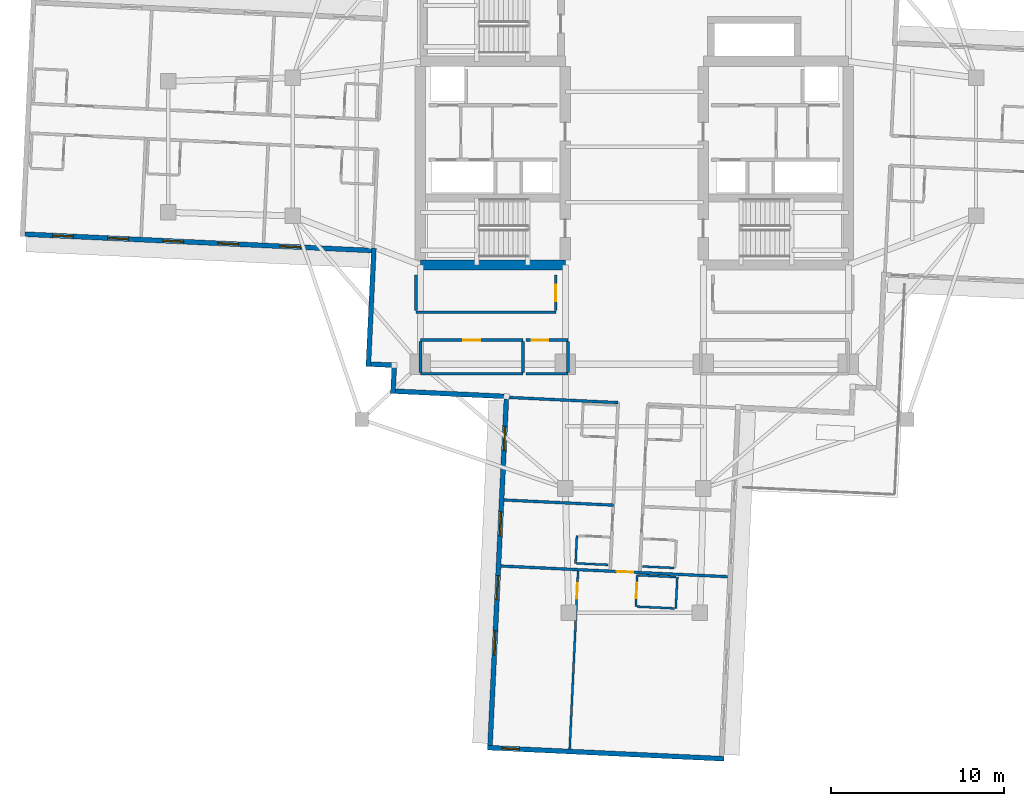
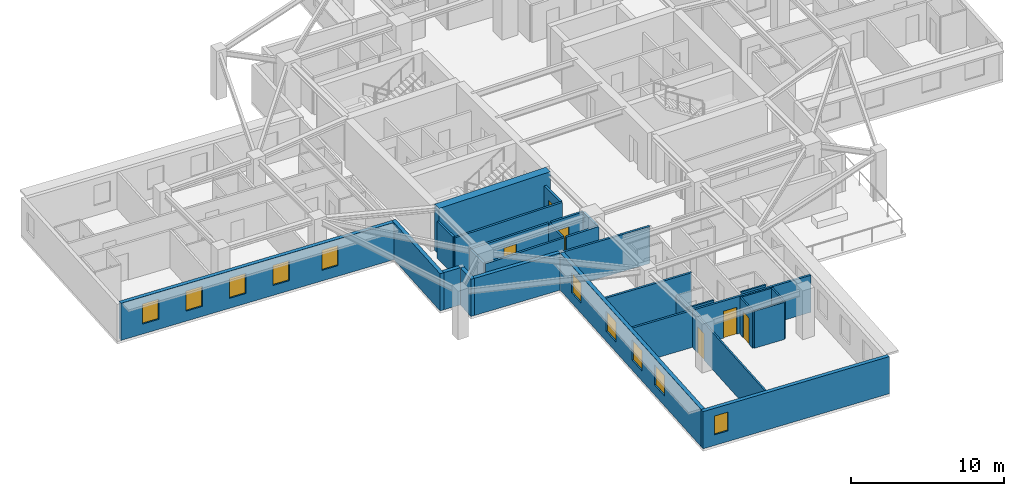
# One storey, part 3 of 14: 29 walls, 10 windows, 6 doors, 16 openings.
"""IFC4 building model written with IfcOpenShell, lengths in metres."""

from ifc_helpers import new_model, si_unit, direction, frame, frame_2d, origin, place, context, subcontext, project, spatial, rectangle, extrude, material, layer, layer_set, type_object, element, fill, save


model = new_model("IFC4")

# Units and contexts
model_context = context("Model", 3, precision=1e-05, world=origin(), true_north=direction((0.0, 1.0)))
body_context = subcontext(model_context, "Body", "Model", "MODEL_VIEW")
ifc_project = project(units=[si_unit("LENGTHUNIT", "METRE"), si_unit("AREAUNIT", "SQUARE_METRE"), si_unit("VOLUMEUNIT", "CUBIC_METRE"), si_unit("PLANEANGLEUNIT", "RADIAN"), si_unit("MASSUNIT", "GRAM", prefix="KILO")], contexts=[model_context])

# Site, building, storey
site_placement = place(None, origin())
site = spatial("IfcSite", under=ifc_project, at=site_placement, CompositionType="ELEMENT")
building_placement = place(site_placement, origin())
building = spatial("IfcBuilding", under=site, at=building_placement, Name="Qingluan Cross Belvedere", CompositionType="ELEMENT")
storey_placement = place(building_placement, frame((0.0, 0.0, 172.199951171875)))
storey = spatial("IfcBuildingStorey", under=building, at=storey_placement, Name="L43", CompositionType="ELEMENT", Elevation=172.199951171875)

# Walls
ifc_material_1 = material(Name="Concrete C60", Category="concrete")
ifc_layer_1 = layer(ifc_material_1, 0.60009765625, Name="CoreShearWall_600")
ifc_layer_set_1 = layer_set([ifc_layer_1], Name="Concrete C60")
wall_type_1 = type_object("IfcWallType", Name="CoreShearWall_600", PredefinedType="SHEAR", material=ifc_layer_set_1)
wall_1_placement = place(storey_placement, frame((-12.39990234375, -6.85009765625, 0.0), z_axis=(0.0, 0.0, 1.0), x_axis=(1.0, 0.0, 0.0)))
element("IfcWall", 1, at=wall_1_placement, inside=storey, type_object=wall_type_1, Name="Split core W shear wall L43-S", PredefinedType="SHEAR", context=body_context, shape_type="SweptSolid", body=[
    extrude(rectangle(XDim=8.39990234375, YDim=0.60009765625, at=frame_2d((4.199951171875, 0.0))), origin(), (0.0, 0.0, 1.0), 3.699951171875),
])
ifc_material_2 = material(Name="Gypsum plasterboard on steel stud acoustic partition", Category="steel")
ifc_layer_2 = layer(ifc_material_2, 0.159912109375, Name="CorridorPartition_160")
ifc_layer_set_2 = layer_set([ifc_layer_2], Name="Gypsum plasterboard on steel stud acoustic partition")
wall_type_2 = type_object("IfcWallType", Name="CorridorPartition_160", PredefinedType="PARTITIONING", material=ifc_layer_set_2)
wall_2_placement = place(storey_placement, frame((-12.39990234375, -13.14990234375, 0.0), z_axis=(0.0, 0.0, 1.0), x_axis=(1.0, 0.0, 0.0)))
element("IfcWall", 2, at=wall_2_placement, inside=storey, type_object=wall_type_2, Name="Partition L43:q_sw1:S", PredefinedType="PARTITIONING", context=body_context, shape_type="SweptSolid", body=[
    extrude(rectangle(XDim=5.949951171875, YDim=0.159912109375, at=frame_2d((2.97509765625, 0.0))), origin(), (0.0, 0.0, 1.0), 2.9599609375),
])

# Wall, opening, door
wall_3_placement = place(storey_placement, frame((-12.39990234375, -11.199951171875, 0.0), z_axis=(0.0, 0.0, 1.0), x_axis=(1.0, 0.0, 0.0)))
wall_3 = element("IfcWall", 3, at=wall_3_placement, inside=storey, type_object=wall_type_2, Name="Partition L43:q_sw1:N", PredefinedType="PARTITIONING", context=body_context, shape_type="SweptSolid", body=[
    extrude(rectangle(XDim=5.949951171875, YDim=0.159912109375, at=frame_2d((2.97509765625, 0.0))), origin(), (0.0, 0.0, 1.0), 2.9599609375),
])
opening_1_placement = place(wall_3_placement, frame((2.4951171875, 0.0, 0.0)))
opening_1 = element("IfcOpeningElement", 4, at=opening_1_placement, cuts=wall_3, Name="Opening GD-10", PredefinedType="OPENING", context=body_context, shape_type="SweptSolid", body=[
    extrude(rectangle(XDim=0.9599609375, YDim=2.14990234375, at=frame_2d((0.47998046875, 1.074951171875))), frame((0.0, 0.08984375, 0.0), z_axis=(0.0, -1.0, 0.0), x_axis=(1.0, 0.0, 0.0)), (0.0, 0.0, 1.0), 0.179931640625),
])
ifc_material_3 = material(Name="Timber oak fire-rated acoustic guestroom door", Category="wood")
door_type_1 = type_object("IfcDoorType", Name="GuestEntryDoor_FD60", OperationType="NOTDEFINED", PredefinedType="DOOR", material=ifc_material_3)
door_1_placement = place(opening_1_placement, origin())
door_1 = element("IfcDoor", 5, at=door_1_placement, inside=storey, type_object=door_type_1, Name="Massage treatment room L43 door", OperationType="SINGLE_SWING_LEFT", OverallHeight=2.14990234375, OverallWidth=0.9599609375, PredefinedType="DOOR", context=body_context, shape_type="SweptSolid", body=[
    extrude(rectangle(XDim=0.9599609375, YDim=2.14990234375, at=frame_2d((0.47998046875, 1.074951171875))), frame((0.0, 0.02490234375, 0.0), z_axis=(0.0, -1.0, 0.0), x_axis=(1.0, 0.0, 0.0)), (0.0, 0.0, 1.0), 0.050048828125),
])
fill(opening_1, door_1)

# Walls
for number, where, z_axis, x_axis, name in (
    (6, (-12.39990234375, -13.06494140625, 0.0), (0.0, 0.0, 1.0), (0.0, 1.0, 0.0), "Partition L43:q_sw1:W"),
    (7, (-6.449951171875, -13.06494140625, 0.0), (0.0, 0.0, 1.0), (0.0, 1.0, 0.0), "Partition L43:q_sw1:E"),
):
    element("IfcWall", number, at=place(storey_placement, frame(where, z_axis=z_axis, x_axis=x_axis)), inside=storey, type_object=wall_type_2, Name=name, PredefinedType="PARTITIONING", context=body_context, shape_type="SweptSolid", body=[
        extrude(rectangle(XDim=1.780029296875, YDim=0.159912109375, at=frame_2d((0.89013671875, 0.0))), origin(), (0.0, 0.0, 1.0), 2.9599609375),
    ])
wall_4_placement = place(storey_placement, frame((-6.2900390625, -13.14990234375, 0.0), z_axis=(0.0, 0.0, 1.0), x_axis=(1.0, 0.0, 0.0)))
element("IfcWall", 8, at=wall_4_placement, inside=storey, type_object=wall_type_2, Name="Partition L43:q_sw2:S", PredefinedType="PARTITIONING", context=body_context, shape_type="SweptSolid", body=[
    extrude(rectangle(XDim=2.43994140625, YDim=0.159912109375, at=frame_2d((1.219970703125, 0.0))), origin(), (0.0, 0.0, 1.0), 2.9599609375),
])

# Wall, opening, door
wall_5_placement = place(storey_placement, frame((-6.2900390625, -11.199951171875, 0.0), z_axis=(0.0, 0.0, 1.0), x_axis=(1.0, 0.0, 0.0)))
wall_5 = element("IfcWall", 9, at=wall_5_placement, inside=storey, type_object=wall_type_2, Name="Partition L43:q_sw2:N", PredefinedType="PARTITIONING", context=body_context, shape_type="SweptSolid", body=[
    extrude(rectangle(XDim=2.43994140625, YDim=0.159912109375, at=frame_2d((1.219970703125, 0.0))), origin(), (0.0, 0.0, 1.0), 2.9599609375),
])
opening_2_placement = place(wall_5_placement, frame((0.35009765625, 0.0, 0.0)))
opening_2 = element("IfcOpeningElement", 10, at=opening_2_placement, cuts=wall_5, Name="Opening GD-10", PredefinedType="OPENING", context=body_context, shape_type="SweptSolid", body=[
    extrude(rectangle(XDim=0.9599609375, YDim=2.14990234375, at=frame_2d((0.47998046875, 1.074951171875))), frame((0.0, 0.08984375, 0.0), z_axis=(0.0, -1.0, 0.0), x_axis=(1.0, 0.0, 0.0)), (0.0, 0.0, 1.0), 0.179931640625),
])
door_2_placement = place(opening_2_placement, origin())
door_2 = element("IfcDoor", 11, at=door_2_placement, inside=storey, type_object=door_type_1, Name="Southwest reading room L43 door", OperationType="SINGLE_SWING_RIGHT", OverallHeight=2.14990234375, OverallWidth=0.9599609375, PredefinedType="DOOR", context=body_context, shape_type="SweptSolid", body=[
    extrude(rectangle(XDim=0.9599609375, YDim=2.14990234375, at=frame_2d((0.47998046875, 1.074951171875))), frame((0.0, 0.02490234375, 0.0), z_axis=(0.0, -1.0, 0.0), x_axis=(1.0, 0.0, 0.0)), (0.0, 0.0, 1.0), 0.050048828125),
])
fill(opening_2, door_2)

# Walls
wall_6_placement = place(storey_placement, frame((-3.85009765625, -13.06494140625, 0.0), z_axis=(0.0, 0.0, 1.0), x_axis=(0.0, 1.0, 0.0)))
element("IfcWall", 12, at=wall_6_placement, inside=storey, type_object=wall_type_2, Name="Partition L43:q_sw2:E", PredefinedType="PARTITIONING", context=body_context, shape_type="SweptSolid", body=[
    extrude(rectangle(XDim=1.780029296875, YDim=0.159912109375, at=frame_2d((0.89013671875, 0.0))), origin(), (0.0, 0.0, 1.0), 2.9599609375),
])
wall_7_placement = place(storey_placement, frame((-12.64990234375, -9.580078125, 0.0), z_axis=(0.0, 0.0, 1.0), x_axis=(1.0, 0.0, 0.0)))
element("IfcWall", 13, at=wall_7_placement, inside=storey, type_object=wall_type_2, Name="Partition L43:rec_st4_w:S", PredefinedType="PARTITIONING", context=body_context, shape_type="SweptSolid", body=[
    extrude(rectangle(XDim=8.099853515625, YDim=0.159912109375, at=frame_2d((4.0498046875, 0.0))), origin(), (0.0, 0.0, 1.0), 2.9599609375),
])
wall_8_placement = place(storey_placement, frame((-12.64990234375, -9.4951171875, 0.0), z_axis=(0.0, 0.0, 1.0), x_axis=(0.0, 1.0, 0.0)))
element("IfcWall", 14, at=wall_8_placement, inside=storey, type_object=wall_type_2, Name="Partition L43:rec_st4_w:W", PredefinedType="PARTITIONING", context=body_context, shape_type="SweptSolid", body=[
    extrude(rectangle(XDim=2.06005859375, YDim=0.159912109375, at=frame_2d((1.030029296875, 0.0))), origin(), (0.0, 0.0, 1.0), 2.9599609375),
])

# Wall, opening, door
wall_9_placement = place(storey_placement, frame((-4.550048828125, -9.4951171875, 0.0), z_axis=(0.0, 0.0, 1.0), x_axis=(0.0, 1.0, 0.0)))
wall_9 = element("IfcWall", 15, at=wall_9_placement, inside=storey, type_object=wall_type_2, Name="Partition L43:rec_st4_w:E", PredefinedType="PARTITIONING", context=body_context, shape_type="SweptSolid", body=[
    extrude(rectangle(XDim=2.06005859375, YDim=0.159912109375, at=frame_2d((1.030029296875, 0.0))), origin(), (0.0, 0.0, 1.0), 2.9599609375),
])
opening_3_placement = place(wall_9_placement, frame((0.550048828125, 0.0, 0.0)))
opening_3 = element("IfcOpeningElement", 16, at=opening_3_placement, cuts=wall_9, Name="Opening GD-10", PredefinedType="OPENING", context=body_context, shape_type="SweptSolid", body=[
    extrude(rectangle(XDim=0.9599609375, YDim=2.14990234375, at=frame_2d((0.47998046875, 1.074951171875))), frame((0.0, 0.08984375, 0.0), z_axis=(0.0, -1.0, 0.0), x_axis=(1.0, 0.0, 0.0)), (0.0, 0.0, 1.0), 0.179931640625),
])
door_3_placement = place(opening_3_placement, origin())
door_3 = element("IfcDoor", 17, at=door_3_placement, inside=storey, type_object=door_type_1, Name="Southwest club reading room L43 door", OperationType="SINGLE_SWING_LEFT", OverallHeight=2.14990234375, OverallWidth=0.9599609375, PredefinedType="DOOR", context=body_context, shape_type="SweptSolid", body=[
    extrude(rectangle(XDim=0.9599609375, YDim=2.14990234375, at=frame_2d((0.47998046875, 1.074951171875))), frame((0.0, 0.02490234375, 0.0), z_axis=(0.0, -1.0, 0.0), x_axis=(1.0, 0.0, 0.0)), (0.0, 0.0, 1.0), 0.050048828125),
])
fill(opening_3, door_3)

# Walls
wall_10_placement = place(storey_placement, frame((-0.939208984375, -14.822265625, 0.0), z_axis=(0.0, 0.0, 1.0), x_axis=(-0.998890444558, 0.047094370901, 0.0)))
element("IfcWall", 18, at=wall_10_placement, inside=storey, type_object=wall_type_2, Name="Partition L43:S:s1", PredefinedType="PARTITIONING", context=body_context, shape_type="SweptSolid", body=[
    extrude(rectangle(XDim=6.47998046875, YDim=0.159912109375, at=frame_2d((3.239990234375, 0.0))), origin(), (0.0, 0.0, 1.0), 2.9599609375),
])
wall_11_placement = place(storey_placement, frame((-1.219482421875, -20.765625, 0.0), z_axis=(0.0, 0.0, 1.0), x_axis=(-0.998889408842, 0.047116333717, 0.0)))
element("IfcWall", 19, at=wall_11_placement, inside=storey, type_object=wall_type_2, Name="Partition L43:S:d1_0", PredefinedType="PARTITIONING", context=body_context, shape_type="SweptSolid", body=[
    extrude(rectangle(XDim=6.33203125, YDim=0.159912109375, at=frame_2d((3.166015625, 0.0))), origin(), (0.0, 0.0, 1.0), 2.9599609375),
])

# Wall, opening, door
wall_12_placement = place(storey_placement, frame((-7.724853515625, -24.293212890625, 0.0), z_axis=(0.0, 0.0, 1.0), x_axis=(0.998889967692, -0.047104484326, 0.0)))
wall_12 = element("IfcWall", 20, at=wall_12_placement, inside=storey, type_object=wall_type_2, Name="Partition L43:Scap:in", PredefinedType="PARTITIONING", context=body_context, shape_type="SweptSolid", body=[
    extrude(rectangle(XDim=13.14404296875, YDim=0.159912109375, at=frame_2d((6.572021484375, 0.0))), origin(), (0.0, 0.0, 1.0), 2.9599609375),
])
opening_4_placement = place(wall_12_placement, frame((6.7119140625, 0.0, 0.0)))
opening_4 = element("IfcOpeningElement", 21, at=opening_4_placement, cuts=wall_12, Name="Opening GD-10", PredefinedType="OPENING", context=body_context, shape_type="SweptSolid", body=[
    extrude(rectangle(XDim=0.9599609375, YDim=2.14990234375, at=frame_2d((0.47998046875, 1.074951171875))), frame((0.0, 0.08984375, 0.0), z_axis=(0.0, -1.0, 0.0), x_axis=(1.0, 0.0, 0.0)), (0.0, 0.0, 1.0), 0.179931640625),
])
door_4_placement = place(opening_4_placement, origin())
door_4 = element("IfcDoor", 22, at=door_4_placement, inside=storey, type_object=door_type_1, Name="Horizon corner suite door L43S", OperationType="SINGLE_SWING_LEFT", OverallHeight=2.14990234375, OverallWidth=0.9599609375, PredefinedType="DOOR", context=body_context, shape_type="SweptSolid", body=[
    extrude(rectangle(XDim=0.9599609375, YDim=2.14990234375, at=frame_2d((0.47998046875, 1.074951171875))), frame((0.0, 0.02490234375, 0.0), z_axis=(0.0, -1.0, 0.0), x_axis=(1.0, 0.0, 0.0)), (0.0, 0.0, 1.0), 0.050048828125),
])
fill(opening_4, door_4)

# Walls
ifc_material_4 = material(Name="Moisture-resistant gypsum board lining")
ifc_layer_3 = layer(ifc_material_4, 0.1201171875, Name="EnsuiteWetPartition_120")
ifc_layer_set_3 = layer_set([ifc_layer_3], Name="Moisture-resistant gypsum board lining")
wall_type_3 = type_object("IfcWallType", Name="EnsuiteWetPartition_120", PredefinedType="PARTITIONING", material=ifc_layer_set_3)
wall_13_placement = place(storey_placement, frame((0.474853515625, -24.3193359375, 0.0), z_axis=(0.0, 0.0, 1.0), x_axis=(0.998891083954, -0.047080807099, 0.0)))
element("IfcWall", 23, at=wall_13_placement, inside=storey, type_object=wall_type_3, Name="Partition L43:S:bw0_1", PredefinedType="PARTITIONING", context=body_context, shape_type="SweptSolid", body=[
    extrude(rectangle(XDim=1.820068359375, YDim=0.1201171875, at=frame_2d((0.91015625, 0.0))), origin(), (0.0, 0.0, 1.0), 2.9599609375),
])
wall_14_placement = place(storey_placement, frame((-3.3408203125, -24.139404296875, 0.0), z_axis=(0.0, 0.0, 1.0), x_axis=(0.998890786574, -0.047087116047, 0.0)))
element("IfcWall", 24, at=wall_14_placement, inside=storey, type_object=wall_type_3, Name="Partition L43:S:bw1_1", PredefinedType="PARTITIONING", context=body_context, shape_type="SweptSolid", body=[
    extrude(rectangle(XDim=1.81982421875, YDim=0.1201171875, at=frame_2d((0.909912109375, 0.0))), origin(), (0.0, 0.0, 1.0), 2.9599609375),
])
wall_15_placement = place(storey_placement, frame((-3.330322265625, -22.5380859375, 0.0), z_axis=(0.0, 0.0, 1.0), x_axis=(-0.047144709581, -0.998888069985, 0.0)))
element("IfcWall", 25, at=wall_15_placement, inside=storey, type_object=wall_type_3, Name="Partition L43:S:bc1_1", PredefinedType="PARTITIONING", context=body_context, shape_type="SweptSolid", body=[
    extrude(rectangle(XDim=1.60009765625, YDim=0.1201171875, at=frame_2d((0.800048828125, 0.0))), origin(), (0.0, 0.0, 1.0), 2.9599609375),
])

# Wall, opening, door
wall_16_placement = place(storey_placement, frame((-3.26220703125, -24.593505859375, 0.0), z_axis=(0.0, 0.0, 1.0), x_axis=(-0.047089343138, -0.998890681588, 0.0)))
wall_16 = element("IfcWall", 26, at=wall_16_placement, inside=storey, type_object=wall_type_3, Name="Partition L43:Scap:m2", PredefinedType="PARTITIONING", context=body_context, shape_type="SweptSolid", body=[
    extrude(rectangle(XDim=10.312255859375, YDim=0.1201171875, at=frame_2d((5.15625, 0.0))), origin(), (0.0, 0.0, 1.0), 2.9599609375),
])
opening_5_placement = place(wall_16_placement, frame((0.699951171875, 0.0, 0.0)))
opening_5 = element("IfcOpeningElement", 27, at=opening_5_placement, cuts=wall_16, Name="Opening BD-89", PredefinedType="OPENING", context=body_context, shape_type="SweptSolid", body=[
    extrude(rectangle(XDim=0.89990234375, YDim=2.10009765625, at=frame_2d((0.449951171875, 1.050048828125))), frame((0.0, 0.070068359375, 0.0), z_axis=(0.0, -1.0, 0.0), x_axis=(1.0, 0.0, 0.0)), (0.0, 0.0, 1.0), 0.14013671875),
])
ifc_material_5 = material(Name="Timber acoustic study door", Category="wood")
door_type_2 = type_object("IfcDoorType", Name="SuiteStudyDoor_900", OperationType="NOTDEFINED", PredefinedType="DOOR", material=ifc_material_5)
door_5_placement = place(opening_5_placement, origin())
door_5 = element("IfcDoor", 28, at=door_5_placement, inside=storey, type_object=door_type_2, Name="Suite private study door L43S", OperationType="SINGLE_SWING_LEFT", OverallHeight=2.10009765625, OverallWidth=0.89990234375, PredefinedType="DOOR", context=body_context, shape_type="SweptSolid", body=[
    extrude(rectangle(XDim=0.89990234375, YDim=2.10009765625, at=frame_2d((0.449951171875, 1.050048828125))), frame((0.0, 0.02490234375, 0.0), z_axis=(0.0, -1.0, 0.0), x_axis=(1.0, 0.0, 0.0)), (0.0, 0.0, 1.0), 0.050048828125),
])
fill(opening_5, door_5)

wall_17_placement = place(storey_placement, frame((0.170654296875, -24.82568359375, 0.0), z_axis=(0.0, 0.0, 1.0), x_axis=(-0.047087116047, -0.998890786574, 0.0)))
wall_17 = element("IfcWall", 29, at=wall_17_placement, inside=storey, type_object=wall_type_3, Name="Partition L43:Scap:b2s", PredefinedType="PARTITIONING", context=body_context, shape_type="SweptSolid", body=[
    extrude(rectangle(XDim=1.81982421875, YDim=0.1201171875, at=frame_2d((0.909912109375, 0.0))), origin(), (0.0, 0.0, 1.0), 2.9599609375),
])
opening_6_placement = place(wall_17_placement, frame((0.449951171875, 0.0, 0.0)))
opening_6 = element("IfcOpeningElement", 30, at=opening_6_placement, cuts=wall_17, Name="Opening BD-09", PredefinedType="OPENING", context=body_context, shape_type="SweptSolid", body=[
    extrude(rectangle(XDim=0.8798828125, YDim=2.10009765625, at=frame_2d((0.43994140625, 1.050048828125))), frame((0.0, 0.070068359375, 0.0), z_axis=(0.0, -1.0, 0.0), x_axis=(1.0, 0.0, 0.0)), (0.0, 0.0, 1.0), 0.14013671875),
])
ifc_material_6 = material(Name="Moisture-sealed timber en-suite door", Category="wood")
door_type_3 = type_object("IfcDoorType", Name="BathroomDoor_880", OperationType="NOTDEFINED", PredefinedType="DOOR", material=ifc_material_6)
door_6_placement = place(opening_6_placement, origin())
door_6 = element("IfcDoor", 31, at=door_6_placement, inside=storey, type_object=door_type_3, Name="En-suite bathroom door L43S", OperationType="SINGLE_SWING_RIGHT", OverallHeight=2.10009765625, OverallWidth=0.8798828125, PredefinedType="DOOR", context=body_context, shape_type="SweptSolid", body=[
    extrude(rectangle(XDim=0.8798828125, YDim=2.10009765625, at=frame_2d((0.43994140625, 1.050048828125))), frame((0.0, 0.02490234375, 0.0), z_axis=(0.0, -1.0, 0.0), x_axis=(1.0, 0.0, 0.0)), (0.0, 0.0, 1.0), 0.050048828125),
])
fill(opening_6, door_6)

# Walls
wall_18_placement = place(storey_placement, frame((2.48828125, -24.934814453125, 0.0), z_axis=(0.0, 0.0, 1.0), x_axis=(-0.047214641863, -0.998884766924, 0.0)))
element("IfcWall", 32, at=wall_18_placement, inside=storey, type_object=wall_type_3, Name="Partition L43:Scap:b2b", PredefinedType="PARTITIONING", context=body_context, shape_type="SweptSolid", body=[
    extrude(rectangle(XDim=1.820068359375, YDim=0.1201171875, at=frame_2d((0.91015625, 0.0))), origin(), (0.0, 0.0, 1.0), 2.9599609375),
])
wall_19_placement = place(storey_placement, frame((0.24072265625, -24.828857421875, 0.0), z_axis=(0.0, 0.0, 1.0), x_axis=(0.998887815408, -0.047150103183, 0.0)))
element("IfcWall", 33, at=wall_19_placement, inside=storey, type_object=wall_type_3, Name="Partition L43:Scap:b2a", PredefinedType="PARTITIONING", context=body_context, shape_type="SweptSolid", body=[
    extrude(rectangle(XDim=2.179931640625, YDim=0.1201171875, at=frame_2d((1.08984375, 0.0))), origin(), (0.0, 0.0, 1.0), 2.9599609375),
])
wall_20_placement = place(storey_placement, frame((0.15478515625, -26.64697265625, 0.0), z_axis=(0.0, 0.0, 1.0), x_axis=(0.998893331673, -0.047033094092, 0.0)))
element("IfcWall", 34, at=wall_20_placement, inside=storey, type_object=wall_type_3, Name="Partition L43:Scap:b2n", PredefinedType="PARTITIONING", context=body_context, shape_type="SweptSolid", body=[
    extrude(rectangle(XDim=2.18017578125, YDim=0.1201171875, at=frame_2d((1.090087890625, 0.0))), origin(), (0.0, 0.0, 1.0), 2.9599609375),
])

# Wall, openings, windows
ifc_material_7 = material(Name="Precast concrete C45", Category="concrete")
ifc_layer_4 = layer(ifc_material_7, 0.280029296875, Name="PrecastFacadeWall_280")
ifc_layer_set_4 = layer_set([ifc_layer_4], Name="Precast concrete C45")
wall_type_4 = type_object("IfcWallType", Name="PrecastFacadeWall_280", PredefinedType="STANDARD", material=ifc_layer_set_4)
wall_21_placement = place(storey_placement, frame((-35.317626953125, -5.06201171875, 0.0), z_axis=(0.0, 0.0, 1.0), x_axis=(0.998890015344, -0.047103473814, 0.0)))
wall_21 = element("IfcWall", 35, at=wall_21_placement, inside=storey, type_object=wall_type_4, Name="Facade wall L43-WB", PredefinedType="STANDARD", context=body_context, shape_type="SweptSolid", body=[
    extrude(rectangle(XDim=20.099853515625, YDim=0.280029296875, at=frame_2d((10.0498046875, 0.0))), origin(), (0.0, 0.0, 1.0), 2.969970703125),
])
opening_7_placement = place(wall_21_placement, frame((1.60009765625, 0.0, 0.800048828125)))
opening_7 = element("IfcOpeningElement", 36, at=opening_7_placement, cuts=wall_21, Name="Opening W-02", PredefinedType="OPENING", context=body_context, shape_type="SweptSolid", body=[
    extrude(rectangle(XDim=1.199951171875, YDim=1.60009765625, at=frame_2d((0.60009765625, 0.800048828125))), frame((0.0, 0.14990234375, 0.0), z_axis=(0.0, -1.0, 0.0), x_axis=(1.0, 0.0, 0.0)), (0.0, 0.0, 1.0), 0.300048828125),
])
opening_8_placement = place(wall_21_placement, frame((4.800048828125, 0.0, 0.800048828125)))
opening_8 = element("IfcOpeningElement", 37, at=opening_8_placement, cuts=wall_21, Name="Opening W-02", PredefinedType="OPENING", context=body_context, shape_type="SweptSolid", body=[
    extrude(rectangle(XDim=1.199951171875, YDim=1.60009765625, at=frame_2d((0.60009765625, 0.800048828125))), frame((0.0, 0.14990234375, 0.0), z_axis=(0.0, -1.0, 0.0), x_axis=(1.0, 0.0, 0.0)), (0.0, 0.0, 1.0), 0.300048828125),
])
opening_9_placement = place(wall_21_placement, frame((8.0, 0.0, 0.800048828125)))
opening_9 = element("IfcOpeningElement", 38, at=opening_9_placement, cuts=wall_21, Name="Opening W-02", PredefinedType="OPENING", context=body_context, shape_type="SweptSolid", body=[
    extrude(rectangle(XDim=1.199951171875, YDim=1.60009765625, at=frame_2d((0.60009765625, 0.800048828125))), frame((0.0, 0.14990234375, 0.0), z_axis=(0.0, -1.0, 0.0), x_axis=(1.0, 0.0, 0.0)), (0.0, 0.0, 1.0), 0.300048828125),
])
opening_10_placement = place(wall_21_placement, frame((11.199951171875, 0.0, 0.800048828125)))
opening_10 = element("IfcOpeningElement", 39, at=opening_10_placement, cuts=wall_21, Name="Opening W-02", PredefinedType="OPENING", context=body_context, shape_type="SweptSolid", body=[
    extrude(rectangle(XDim=1.199951171875, YDim=1.60009765625, at=frame_2d((0.60009765625, 0.800048828125))), frame((0.0, 0.14990234375, 0.0), z_axis=(0.0, -1.0, 0.0), x_axis=(1.0, 0.0, 0.0)), (0.0, 0.0, 1.0), 0.300048828125),
])
opening_11_placement = place(wall_21_placement, frame((14.799072265625, 0.0, 0.85009765625)))
opening_11 = element("IfcOpeningElement", 40, at=opening_11_placement, cuts=wall_21, Name="Opening W-02", PredefinedType="OPENING", context=body_context, shape_type="SweptSolid", body=[
    extrude(rectangle(XDim=1.199951171875, YDim=1.60009765625, at=frame_2d((0.60009765625, 0.800048828125))), frame((0.0, 0.14990234375, 0.0), z_axis=(0.0, -1.0, 0.0), x_axis=(1.0, 0.0, 0.0)), (0.0, 0.0, 1.0), 0.300048828125),
])
ifc_material_8 = material(Name="Thermally broken triple Low-E glass in aluminium frame", Category="aluminium")
window_type_1 = type_object("IfcWindowType", Name="TriRibbonWin_1200x1600", PartitioningType="SINGLE_PANEL", PredefinedType="WINDOW", material=ifc_material_8)
window_1_placement = place(opening_7_placement, origin())
window_1 = element("IfcWindow", 41, at=window_1_placement, inside=storey, type_object=window_type_1, Name="Ribbon window L43-WB-1", OverallHeight=1.60009765625, OverallWidth=1.199951171875, PartitioningType="SINGLE_PANEL", PredefinedType="WINDOW", context=body_context, shape_type="SweptSolid", body=[
    extrude(rectangle(XDim=1.199951171875, YDim=1.60009765625, at=frame_2d((0.60009765625, 0.800048828125))), frame((0.0, 0.030029296875, 0.0), z_axis=(0.0, -1.0, 0.0), x_axis=(1.0, 0.0, 0.0)), (0.0, 0.0, 1.0), 0.06005859375),
])
fill(opening_7, window_1)
window_2_placement = place(opening_8_placement, origin())
window_2 = element("IfcWindow", 42, at=window_2_placement, inside=storey, type_object=window_type_1, Name="Ribbon window L43-WB-2", OverallHeight=1.60009765625, OverallWidth=1.199951171875, PartitioningType="SINGLE_PANEL", PredefinedType="WINDOW", context=body_context, shape_type="SweptSolid", body=[
    extrude(rectangle(XDim=1.199951171875, YDim=1.60009765625, at=frame_2d((0.60009765625, 0.800048828125))), frame((0.0, 0.030029296875, 0.0), z_axis=(0.0, -1.0, 0.0), x_axis=(1.0, 0.0, 0.0)), (0.0, 0.0, 1.0), 0.06005859375),
])
fill(opening_8, window_2)
window_3_placement = place(opening_9_placement, origin())
window_3 = element("IfcWindow", 43, at=window_3_placement, inside=storey, type_object=window_type_1, Name="Ribbon window L43-WB-3", OverallHeight=1.60009765625, OverallWidth=1.199951171875, PartitioningType="SINGLE_PANEL", PredefinedType="WINDOW", context=body_context, shape_type="SweptSolid", body=[
    extrude(rectangle(XDim=1.199951171875, YDim=1.60009765625, at=frame_2d((0.60009765625, 0.800048828125))), frame((0.0, 0.030029296875, 0.0), z_axis=(0.0, -1.0, 0.0), x_axis=(1.0, 0.0, 0.0)), (0.0, 0.0, 1.0), 0.06005859375),
])
fill(opening_9, window_3)
window_4_placement = place(opening_10_placement, origin())
window_4 = element("IfcWindow", 44, at=window_4_placement, inside=storey, type_object=window_type_1, Name="Ribbon window L43-WB-4", OverallHeight=1.60009765625, OverallWidth=1.199951171875, PartitioningType="SINGLE_PANEL", PredefinedType="WINDOW", context=body_context, shape_type="SweptSolid", body=[
    extrude(rectangle(XDim=1.199951171875, YDim=1.60009765625, at=frame_2d((0.60009765625, 0.800048828125))), frame((0.0, 0.030029296875, 0.0), z_axis=(0.0, -1.0, 0.0), x_axis=(1.0, 0.0, 0.0)), (0.0, 0.0, 1.0), 0.06005859375),
])
fill(opening_10, window_4)
window_5_placement = place(opening_11_placement, origin())
window_5 = element("IfcWindow", 45, at=window_5_placement, inside=storey, type_object=window_type_1, Name="Deluxe guest room 4308 daylight window", OverallHeight=1.60009765625, OverallWidth=1.199951171875, PartitioningType="SINGLE_PANEL", PredefinedType="WINDOW", context=body_context, shape_type="SweptSolid", body=[
    extrude(rectangle(XDim=1.199951171875, YDim=1.60009765625, at=frame_2d((0.60009765625, 0.800048828125))), frame((0.0, 0.030029296875, 0.0), z_axis=(0.0, -1.0, 0.0), x_axis=(1.0, 0.0, 0.0)), (0.0, 0.0, 1.0), 0.06005859375),
])
fill(opening_11, window_5)

wall_22_placement = place(storey_placement, frame((-7.416259765625, -14.60693359375, 0.0), z_axis=(0.0, 0.0, 1.0), x_axis=(-0.047103473814, -0.998890015344, 0.0)))
wall_22 = element("IfcWall", 46, at=wall_22_placement, inside=storey, type_object=wall_type_4, Name="Facade wall L43-SA", PredefinedType="STANDARD", context=body_context, shape_type="SweptSolid", body=[
    extrude(rectangle(XDim=20.099853515625, YDim=0.280029296875, at=frame_2d((10.0498046875, 0.0))), origin(), (0.0, 0.0, 1.0), 2.969970703125),
])
opening_12_placement = place(wall_22_placement, frame((1.60009765625, 0.0, 0.800048828125)))
opening_12 = element("IfcOpeningElement", 47, at=opening_12_placement, cuts=wall_22, Name="Opening W-01", PredefinedType="OPENING", context=body_context, shape_type="SweptSolid", body=[
    extrude(rectangle(XDim=1.39990234375, YDim=1.60009765625, at=frame_2d((0.699951171875, 0.800048828125))), frame((0.0, 0.14990234375, 0.0), z_axis=(0.0, -1.0, 0.0), x_axis=(1.0, 0.0, 0.0)), (0.0, 0.0, 1.0), 0.300048828125),
])
opening_13_placement = place(wall_22_placement, frame((6.550048828125, 0.0, 0.800048828125)))
opening_13 = element("IfcOpeningElement", 48, at=opening_13_placement, cuts=wall_22, Name="Opening W-01", PredefinedType="OPENING", context=body_context, shape_type="SweptSolid", body=[
    extrude(rectangle(XDim=1.39990234375, YDim=1.60009765625, at=frame_2d((0.699951171875, 0.800048828125))), frame((0.0, 0.14990234375, 0.0), z_axis=(0.0, -1.0, 0.0), x_axis=(1.0, 0.0, 0.0)), (0.0, 0.0, 1.0), 0.300048828125),
])
opening_14_placement = place(wall_22_placement, frame((10.25, 0.0, 0.800048828125)))
opening_14 = element("IfcOpeningElement", 49, at=opening_14_placement, cuts=wall_22, Name="Opening W-01", PredefinedType="OPENING", context=body_context, shape_type="SweptSolid", body=[
    extrude(rectangle(XDim=1.39990234375, YDim=1.60009765625, at=frame_2d((0.699951171875, 0.800048828125))), frame((0.0, 0.14990234375, 0.0), z_axis=(0.0, -1.0, 0.0), x_axis=(1.0, 0.0, 0.0)), (0.0, 0.0, 1.0), 0.300048828125),
])
opening_15_placement = place(wall_22_placement, frame((13.449951171875, 0.0, 0.800048828125)))
opening_15 = element("IfcOpeningElement", 50, at=opening_15_placement, cuts=wall_22, Name="Opening W-01", PredefinedType="OPENING", context=body_context, shape_type="SweptSolid", body=[
    extrude(rectangle(XDim=1.39990234375, YDim=1.60009765625, at=frame_2d((0.699951171875, 0.800048828125))), frame((0.0, 0.14990234375, 0.0), z_axis=(0.0, -1.0, 0.0), x_axis=(1.0, 0.0, 0.0)), (0.0, 0.0, 1.0), 0.300048828125),
])
ifc_material_9 = material(Name="Thermally broken triple Low-E glass in aluminium frame", Category="aluminium")
window_type_2 = type_object("IfcWindowType", Name="TriRibbonWin_1400x1600", PartitioningType="SINGLE_PANEL", PredefinedType="WINDOW", material=ifc_material_9)
window_6_placement = place(opening_12_placement, origin())
window_6 = element("IfcWindow", 51, at=window_6_placement, inside=storey, type_object=window_type_2, Name="Ribbon window L43-SA-1", OverallHeight=1.60009765625, OverallWidth=1.39990234375, PartitioningType="SINGLE_PANEL", PredefinedType="WINDOW", context=body_context, shape_type="SweptSolid", body=[
    extrude(rectangle(XDim=1.39990234375, YDim=1.60009765625, at=frame_2d((0.699951171875, 0.800048828125))), frame((0.0, 0.030029296875, 0.0), z_axis=(0.0, -1.0, 0.0), x_axis=(1.0, 0.0, 0.0)), (0.0, 0.0, 1.0), 0.06005859375),
])
fill(opening_12, window_6)
window_7_placement = place(opening_13_placement, origin())
window_7 = element("IfcWindow", 52, at=window_7_placement, inside=storey, type_object=window_type_2, Name="Ribbon window L43-SA-2", OverallHeight=1.60009765625, OverallWidth=1.39990234375, PartitioningType="SINGLE_PANEL", PredefinedType="WINDOW", context=body_context, shape_type="SweptSolid", body=[
    extrude(rectangle(XDim=1.39990234375, YDim=1.60009765625, at=frame_2d((0.699951171875, 0.800048828125))), frame((0.0, 0.030029296875, 0.0), z_axis=(0.0, -1.0, 0.0), x_axis=(1.0, 0.0, 0.0)), (0.0, 0.0, 1.0), 0.06005859375),
])
fill(opening_13, window_7)
window_8_placement = place(opening_14_placement, origin())
window_8 = element("IfcWindow", 53, at=window_8_placement, inside=storey, type_object=window_type_2, Name="Ribbon window L43-SA-3", OverallHeight=1.60009765625, OverallWidth=1.39990234375, PartitioningType="SINGLE_PANEL", PredefinedType="WINDOW", context=body_context, shape_type="SweptSolid", body=[
    extrude(rectangle(XDim=1.39990234375, YDim=1.60009765625, at=frame_2d((0.699951171875, 0.800048828125))), frame((0.0, 0.030029296875, 0.0), z_axis=(0.0, -1.0, 0.0), x_axis=(1.0, 0.0, 0.0)), (0.0, 0.0, 1.0), 0.06005859375),
])
fill(opening_14, window_8)
window_9_placement = place(opening_15_placement, origin())
window_9 = element("IfcWindow", 54, at=window_9_placement, inside=storey, type_object=window_type_2, Name="Ribbon window L43-SA-4", OverallHeight=1.60009765625, OverallWidth=1.39990234375, PartitioningType="SINGLE_PANEL", PredefinedType="WINDOW", context=body_context, shape_type="SweptSolid", body=[
    extrude(rectangle(XDim=1.39990234375, YDim=1.60009765625, at=frame_2d((0.699951171875, 0.800048828125))), frame((0.0, 0.030029296875, 0.0), z_axis=(0.0, -1.0, 0.0), x_axis=(1.0, 0.0, 0.0)), (0.0, 0.0, 1.0), 0.06005859375),
])
fill(opening_15, window_9)

# Wall, opening, window
wall_23_placement = place(storey_placement, frame((-8.509521484375, -34.81787109375, 0.0), z_axis=(0.0, 0.0, 1.0), x_axis=(0.998890092147, -0.047101845086, 0.0)))
wall_23 = element("IfcWall", 55, at=wall_23_placement, inside=storey, type_object=wall_type_4, Name="Arm tip precast facade wall L43-S", PredefinedType="STANDARD", context=body_context, shape_type="SweptSolid", body=[
    extrude(rectangle(XDim=13.719970703125, YDim=0.280029296875, at=frame_2d((6.85986328125, 0.0))), origin(), (0.0, 0.0, 1.0), 2.969970703125),
])
opening_16_placement = place(wall_23_placement, frame((0.85009765625, 0.0, 0.85009765625)))
opening_16 = element("IfcOpeningElement", 56, at=opening_16_placement, cuts=wall_23, Name="Opening W-03", PredefinedType="OPENING", context=body_context, shape_type="SweptSolid", body=[
    extrude(rectangle(XDim=1.0, YDim=1.5, at=frame_2d((0.5, 0.75))), frame((0.0, 0.14990234375, 0.0), z_axis=(0.0, -1.0, 0.0), x_axis=(1.0, 0.0, 0.0)), (0.0, 0.0, 1.0), 0.300048828125),
])
ifc_material_10 = material(Name="Thermally broken triple Low-E glass in aluminium frame", Category="aluminium")
window_type_3 = type_object("IfcWindowType", Name="TriApexWin_1000x1500", PartitioningType="SINGLE_PANEL", PredefinedType="WINDOW", material=ifc_material_10)
window_10_placement = place(opening_16_placement, origin())
window_10 = element("IfcWindow", 57, at=window_10_placement, inside=storey, type_object=window_type_3, Name="Arm tip triangular window L43-S", OverallHeight=1.5, OverallWidth=1.0, PartitioningType="SINGLE_PANEL", PredefinedType="WINDOW", context=body_context, shape_type="SweptSolid", body=[
    extrude(rectangle(XDim=1.0, YDim=1.5, at=frame_2d((0.5, 0.75))), frame((0.0, 0.030029296875, 0.0), z_axis=(0.0, -1.0, 0.0), x_axis=(1.0, 0.0, 0.0)), (0.0, 0.0, 1.0), 0.06005859375),
])
fill(opening_16, window_10)

# Walls
wall_24_placement = place(storey_placement, frame((-15.093505859375, -5.87548828125, 0.0), z_axis=(0.0, 0.0, 1.0), x_axis=(-0.04712043756, -0.998889215261, 0.0)))
element("IfcWall", 58, at=wall_24_placement, inside=storey, type_object=wall_type_4, Name="Corner wall L43-SW1", PredefinedType="STANDARD", context=body_context, shape_type="SweptSolid", body=[
    extrude(rectangle(XDim=6.85986328125, YDim=0.280029296875, at=frame_2d((3.429931640625, 0.0))), origin(), (0.0, 0.0, 1.0), 2.969970703125),
])
wall_25_placement = place(storey_placement, frame((-15.270263671875, -12.5947265625, 0.0), z_axis=(0.0, 0.0, 1.0), x_axis=(0.998893795343, -0.047023245574, 0.0)))
element("IfcWall", 59, at=wall_25_placement, inside=storey, type_object=wall_type_4, Name="Corner wall L43-SW2", PredefinedType="STANDARD", context=body_context, shape_type="SweptSolid", body=[
    extrude(rectangle(XDim=1.22021484375, YDim=0.280029296875, at=frame_2d((0.610107421875, 0.0))), origin(), (0.0, 0.0, 1.0), 2.969970703125),
])
wall_26_placement = place(storey_placement, frame((-13.918212890625, -12.798583984375, 0.0), z_axis=(0.0, 0.0, 1.0), x_axis=(-0.047201688113, -0.99888537913, 0.0)))
element("IfcWall", 60, at=wall_26_placement, inside=storey, type_object=wall_type_4, Name="Corner wall L43-SW3", PredefinedType="STANDARD", context=body_context, shape_type="SweptSolid", body=[
    extrude(rectangle(XDim=1.5, YDim=0.280029296875, at=frame_2d((0.75, 0.0))), origin(), (0.0, 0.0, 1.0), 2.969970703125),
])
wall_27_placement = place(storey_placement, frame((-13.842529296875, -14.16357421875, 0.0), z_axis=(0.0, 0.0, 1.0), x_axis=(0.998889082162, -0.047123258997, 0.0)))
element("IfcWall", 61, at=wall_27_placement, inside=storey, type_object=wall_type_4, Name="Corner wall L43-SW4", PredefinedType="STANDARD", context=body_context, shape_type="SweptSolid", body=[
    extrude(rectangle(XDim=6.300048828125, YDim=0.280029296875, at=frame_2d((3.14990234375, 0.0))), origin(), (0.0, 0.0, 1.0), 2.969970703125),
])

save(model, "model.ifc")
